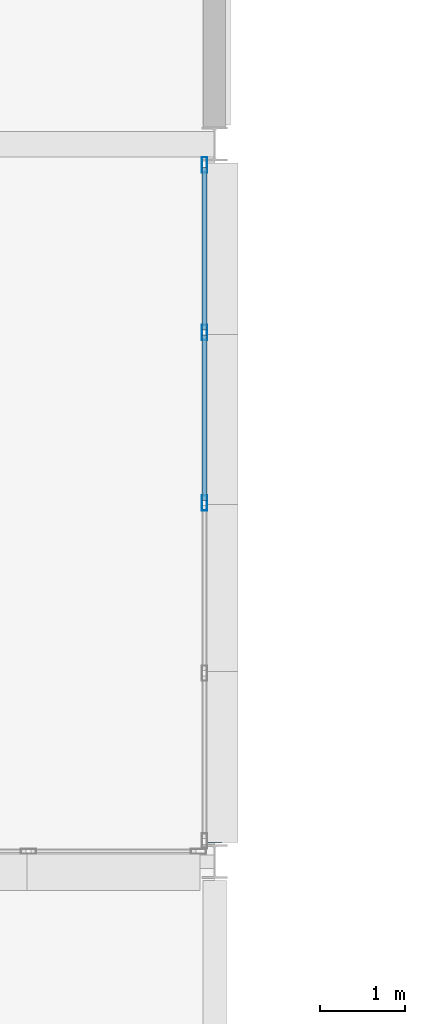
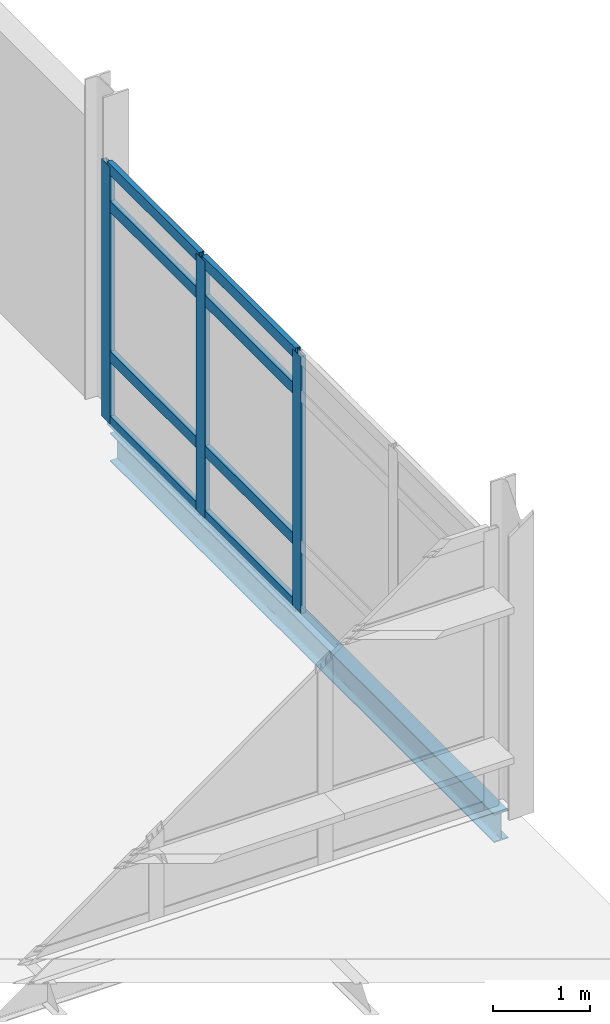
# One storey, part 51 of 151: 11 members, 1 beam, 1 element without a shape of its own.
"""IFC4 building model written with IfcOpenShell, lengths in metres."""

from ifc_helpers import new_model, si_unit, direction, frame, origin, origin_2d, place, context, subcontext, project, spatial, hollow_rectangle, i_section, extrude, material, material_profile, profile_set, type_object, element, aggregate, save


model = new_model("IFC4")

# Units and contexts
model_context = context("Model", 3, precision=1e-05, world=origin(), true_north=direction((0.0, 1.0)))
body_context = subcontext(model_context, "Body", "Model", "MODEL_VIEW")
ifc_project = project(units=[si_unit("LENGTHUNIT", "METRE"), si_unit("AREAUNIT", "SQUARE_METRE"), si_unit("VOLUMEUNIT", "CUBIC_METRE"), si_unit("PLANEANGLEUNIT", "RADIAN"), si_unit("MASSUNIT", "GRAM", prefix="KILO")], contexts=[model_context])

# Site, building, storey
site_placement = place(None, origin())
site = spatial("IfcSite", under=ifc_project, at=site_placement, CompositionType="ELEMENT")
building_placement = place(site_placement, origin())
building = spatial("IfcBuilding", under=site, at=building_placement, Name="Mersafa Astral City Hall", CompositionType="ELEMENT")
storey_placement = place(building_placement, frame((0.0, 0.0, 9.89990234375)))
storey = spatial("IfcBuildingStorey", under=building, at=storey_placement, Name="L02", CompositionType="ELEMENT", Elevation=9.89990234375)

# Curtain wall, members
ifc_material_1 = material(Name="Anodised bronze aluminium framing", Category="aluminium")
curtain_wall_type = type_object("IfcCurtainWallType", Name="ENV-CW-6", PredefinedType="USERDEFINED", material=ifc_material_1)
curtain_wall_placement = place(storey_placement, origin())
curtain_wall = element("IfcCurtainWall", 1, at=curtain_wall_placement, inside=storey, type_object=curtain_wall_type, Name="L02 Unitised solar curtain wall 137", ObjectType="UNITISED CURTAIN WALL", PredefinedType="USERDEFINED")
ifc_material_profile_1 = material_profile(ifc_material_1, hollow_rectangle(XDim=0.06005859375, YDim=0.179931640625, WallThickness=0.00390625, at=origin_2d()), Name="RHS 60x180x4")
ifc_profile_set_1 = profile_set([ifc_material_profile_1], Name="Anodised bronze aluminium framing")
member_type_1 = type_object("IfcMemberType", Name="ENV-CW-MUL-1", PredefinedType="MULLION", material=ifc_profile_set_1)
member_1_placement = place(storey_placement, frame((41.8798828125, 96.60009765625, -0.001953125), z_axis=(0.0, 0.0, 1.0), x_axis=(-1.0, 0.0, 0.0)))
member_1 = element("IfcMember", 2, at=member_1_placement, type_object=member_type_1, Name="CW-6 mullion 3", PredefinedType="MULLION", context=body_context, shape_type="SweptSolid", body=[
    extrude(hollow_rectangle(XDim=0.06005859375, YDim=0.179931640625, WallThickness=0.00390625, at=origin_2d()), origin(), (0.0, 0.0, 1.0), 3.2490234375),
])
member_2_placement = place(storey_placement, frame((41.8798828125, 98.593994140625, -0.001953125), z_axis=(0.0, 0.0, 1.0), x_axis=(-1.0, 0.0, 0.0)))
member_2 = element("IfcMember", 3, at=member_2_placement, type_object=member_type_1, Name="CW-6 mullion 4", PredefinedType="MULLION", context=body_context, shape_type="SweptSolid", body=[
    extrude(hollow_rectangle(XDim=0.06005859375, YDim=0.179931640625, WallThickness=0.00390625, at=origin_2d()), origin(), (0.0, 0.0, 1.0), 3.2490234375),
])
member_3_placement = place(storey_placement, frame((41.8798828125, 100.55810546875, -0.001953125), z_axis=(0.0, 0.0, 1.0), x_axis=(-1.0, 0.0, 0.0)))
member_3 = element("IfcMember", 4, at=member_3_placement, type_object=member_type_1, Name="CW-6 mullion 5", PredefinedType="MULLION", context=body_context, shape_type="SweptSolid", body=[
    extrude(hollow_rectangle(XDim=0.06005859375, YDim=0.179931640625, WallThickness=0.00390625, at=origin_2d()), origin(), (0.0, 0.0, 1.0), 3.2490234375),
])
ifc_material_profile_2 = material_profile(ifc_material_1, hollow_rectangle(XDim=0.06005859375, YDim=0.139892578125, WallThickness=0.00390625, at=origin_2d()), Name="RHS 60x140x4")
ifc_profile_set_2 = profile_set([ifc_material_profile_2], Name="Anodised bronze aluminium framing")
member_type_2 = type_object("IfcMemberType", Name="ENV-CW-TRN-1", PredefinedType="USERDEFINED", material=ifc_profile_set_2)
member_4_placement = place(storey_placement, frame((41.8798828125, 96.6298828125, 0.028076171875), z_axis=(0.0, 1.0, 0.0), x_axis=(-1.0, 0.0, 0.0)))
member_4 = element("IfcMember", 5, at=member_4_placement, type_object=member_type_2, Name="CW-6 transom 3.1", ObjectType="TRANSOM", PredefinedType="USERDEFINED", context=body_context, shape_type="SweptSolid", body=[
    extrude(hollow_rectangle(XDim=0.06005859375, YDim=0.139892578125, WallThickness=0.00390625, at=origin_2d()), origin(), (0.0, 0.0, 1.0), 1.93408203125),
])
member_5_placement = place(storey_placement, frame((41.8798828125, 96.6298828125, 0.85009765625), z_axis=(0.0, 1.0, 0.0), x_axis=(-1.0, 0.0, 0.0)))
member_5 = element("IfcMember", 6, at=member_5_placement, type_object=member_type_2, Name="CW-6 transom 3.2", ObjectType="TRANSOM", PredefinedType="USERDEFINED", context=body_context, shape_type="SweptSolid", body=[
    extrude(hollow_rectangle(XDim=0.06005859375, YDim=0.139892578125, WallThickness=0.00390625, at=origin_2d()), origin(), (0.0, 0.0, 1.0), 1.93408203125),
])
member_6_placement = place(storey_placement, frame((41.8798828125, 96.6298828125, 2.75), z_axis=(0.0, 1.0, 0.0), x_axis=(-1.0, 0.0, 0.0)))
member_6 = element("IfcMember", 7, at=member_6_placement, type_object=member_type_2, Name="CW-6 transom 3.3", ObjectType="TRANSOM", PredefinedType="USERDEFINED", context=body_context, shape_type="SweptSolid", body=[
    extrude(hollow_rectangle(XDim=0.06005859375, YDim=0.139892578125, WallThickness=0.00390625, at=origin_2d()), origin(), (0.0, 0.0, 1.0), 1.93408203125),
])
member_7_placement = place(storey_placement, frame((41.8798828125, 96.6298828125, 3.217041015625), z_axis=(0.0, 1.0, 0.0), x_axis=(-1.0, 0.0, 0.0)))
member_7 = element("IfcMember", 8, at=member_7_placement, type_object=member_type_2, Name="CW-6 transom 3.4", ObjectType="TRANSOM", PredefinedType="USERDEFINED", context=body_context, shape_type="SweptSolid", body=[
    extrude(hollow_rectangle(XDim=0.06005859375, YDim=0.139892578125, WallThickness=0.00390625, at=origin_2d()), origin(), (0.0, 0.0, 1.0), 1.93408203125),
])
member_8_placement = place(storey_placement, frame((41.8798828125, 98.6240234375, 0.028076171875), z_axis=(0.0, 1.0, 0.0), x_axis=(-1.0, 0.0, 0.0)))
member_8 = element("IfcMember", 9, at=member_8_placement, type_object=member_type_2, Name="CW-6 transom 4.1", ObjectType="TRANSOM", PredefinedType="USERDEFINED", context=body_context, shape_type="SweptSolid", body=[
    extrude(hollow_rectangle(XDim=0.06005859375, YDim=0.139892578125, WallThickness=0.00390625, at=origin_2d()), origin(), (0.0, 0.0, 1.0), 1.904052734375),
])
member_9_placement = place(storey_placement, frame((41.8798828125, 98.6240234375, 0.85009765625), z_axis=(0.0, 1.0, 0.0), x_axis=(-1.0, 0.0, 0.0)))
member_9 = element("IfcMember", 10, at=member_9_placement, type_object=member_type_2, Name="CW-6 transom 4.2", ObjectType="TRANSOM", PredefinedType="USERDEFINED", context=body_context, shape_type="SweptSolid", body=[
    extrude(hollow_rectangle(XDim=0.06005859375, YDim=0.139892578125, WallThickness=0.00390625, at=origin_2d()), origin(), (0.0, 0.0, 1.0), 1.904052734375),
])
member_10_placement = place(storey_placement, frame((41.8798828125, 98.6240234375, 2.75), z_axis=(0.0, 1.0, 0.0), x_axis=(-1.0, 0.0, 0.0)))
member_10 = element("IfcMember", 11, at=member_10_placement, type_object=member_type_2, Name="CW-6 transom 4.3", ObjectType="TRANSOM", PredefinedType="USERDEFINED", context=body_context, shape_type="SweptSolid", body=[
    extrude(hollow_rectangle(XDim=0.06005859375, YDim=0.139892578125, WallThickness=0.00390625, at=origin_2d()), origin(), (0.0, 0.0, 1.0), 1.904052734375),
])
member_11_placement = place(storey_placement, frame((41.8798828125, 98.6240234375, 3.217041015625), z_axis=(0.0, 1.0, 0.0), x_axis=(-1.0, 0.0, 0.0)))
member_11 = element("IfcMember", 12, at=member_11_placement, type_object=member_type_2, Name="CW-6 transom 4.4", ObjectType="TRANSOM", PredefinedType="USERDEFINED", context=body_context, shape_type="SweptSolid", body=[
    extrude(hollow_rectangle(XDim=0.06005859375, YDim=0.139892578125, WallThickness=0.00390625, at=origin_2d()), origin(), (0.0, 0.0, 1.0), 1.904052734375),
])
aggregate(curtain_wall, [member_1, member_2, member_3, member_4, member_5, member_6, member_7, member_8, member_9, member_10, member_11])

# Beam
ifc_material_2 = material(Name="Steel S355", Category="steel")
ifc_material_profile_3 = material_profile(ifc_material_2, i_section(OverallWidth=0.169921875, OverallDepth=0.360107421875, WebThickness=0.008056640625, FlangeThickness=0.0126953125, FilletRadius=0.01806640625, at=origin_2d()), Name="IPE 360")
ifc_profile_set_3 = profile_set([ifc_material_profile_3], Name="Steel S355")
beam_type = type_object("IfcBeamType", Name="STR-BM-SPANDREL-IPE360", PredefinedType="SPANDREL", material=ifc_profile_set_3)
beam_placement = place(storey_placement, frame((42.0, 92.6201171875, -0.3798828125), z_axis=(0.0, 1.0, 0.0), x_axis=(-1.0, 0.0, 0.0)))
element("IfcBeam", 13, at=beam_placement, inside=storey, type_object=beam_type, Name="L02 Primary girder Y 5-11", PredefinedType="SPANDREL", context=body_context, shape_type="SweptSolid", body=[
    extrude(i_section(OverallWidth=0.169921875, OverallDepth=0.360107421875, WebThickness=0.008056640625, FlangeThickness=0.0126953125, FilletRadius=0.01806640625, at=origin_2d()), origin(), (0.0, 0.0, 1.0), 7.9599609375),
])

save(model, "model.ifc")
